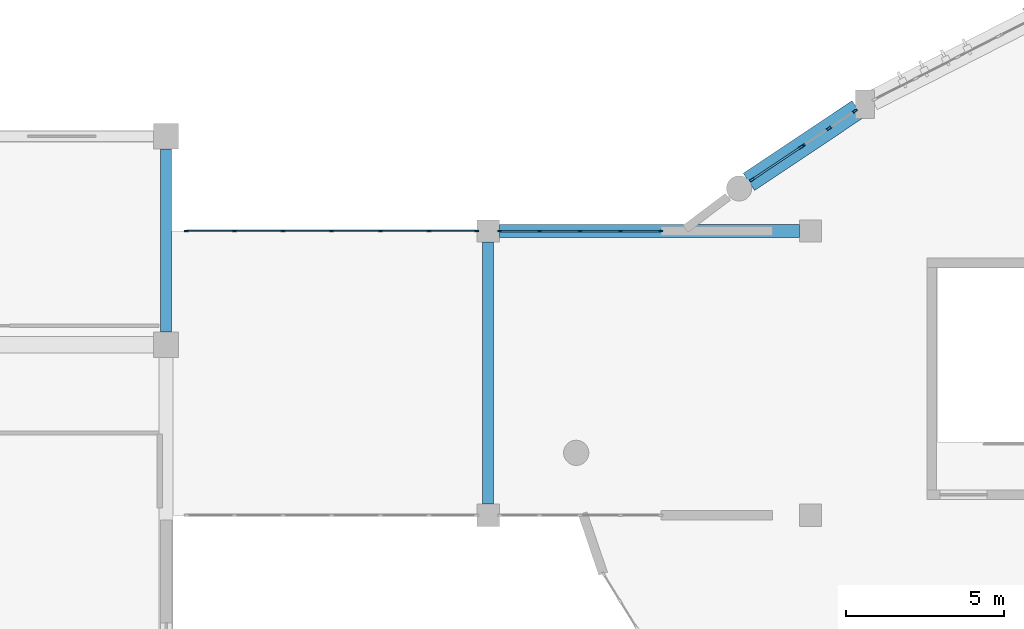
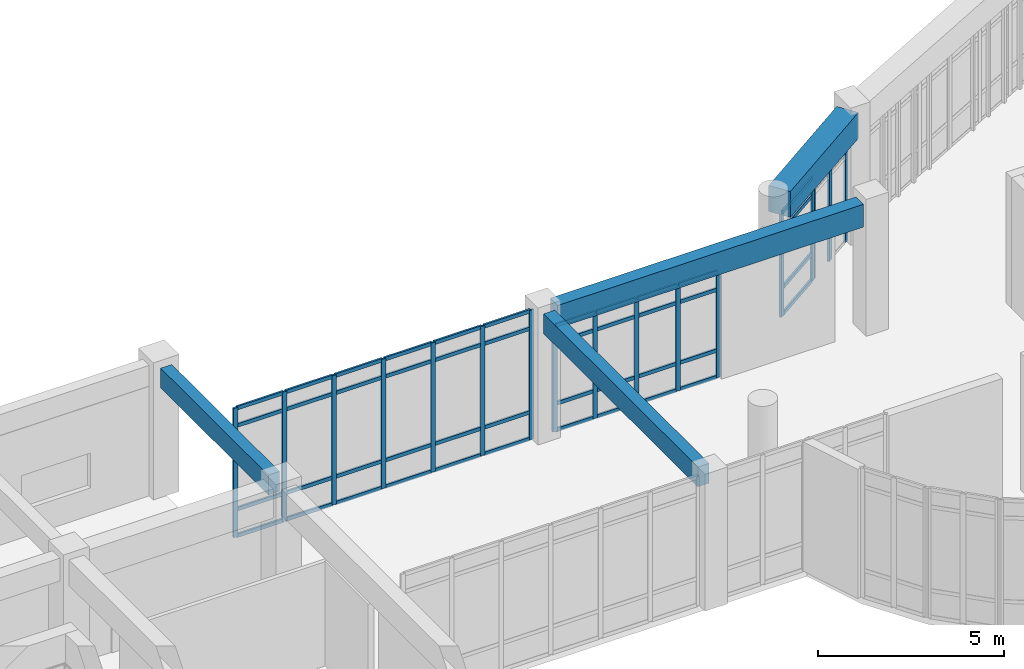
# One storey, part 9 of 54: 61 members, 4 beams, 4 elements without a shape of their own.
"""IFC4 building model written with IfcOpenShell, lengths in metres."""

from ifc_helpers import new_model, si_unit, direction, frame, origin, origin_2d, place, context, subcontext, project, spatial, rectangle, extrude, material, layer, layer_set, material_profile, profile_set, type_object, element, aggregate, save


model = new_model("IFC4")

# Units and contexts
model_context = context("Model", 3, precision=1e-05, world=origin(), true_north=direction((0.0, 1.0)))
body_context = subcontext(model_context, "Body", "Model", "MODEL_VIEW")
ifc_project = project(units=[si_unit("LENGTHUNIT", "METRE"), si_unit("AREAUNIT", "SQUARE_METRE"), si_unit("VOLUMEUNIT", "CUBIC_METRE"), si_unit("PLANEANGLEUNIT", "RADIAN"), si_unit("MASSUNIT", "GRAM", prefix="KILO")], contexts=[model_context])

# Site, building, storey
site_placement = place(None, origin())
site = spatial("IfcSite", under=ifc_project, at=site_placement, CompositionType="ELEMENT")
building_placement = place(site_placement, origin())
building = spatial("IfcBuilding", under=site, at=building_placement, Name="Miralva Faculty of Natural Sciences", CompositionType="ELEMENT")
storey_placement = place(building_placement, frame((0.0, 0.0, 19.5)))
storey = spatial("IfcBuildingStorey", under=building, at=storey_placement, Name="L04", CompositionType="ELEMENT", Elevation=19.5)

# Beams
ifc_material_1 = material(Name="Concrete C40/50", Category="concrete")
ifc_material_profile_1 = material_profile(ifc_material_1, rectangle(XDim=0.39990234375, YDim=0.75, at=origin_2d()), Name="RC 400x750")
ifc_profile_set_1 = profile_set([ifc_material_profile_1], Name="Concrete C40/50")
beam_type_1 = type_object("IfcBeamType", Name="BM-B03", PredefinedType="BEAM", material=ifc_profile_set_1)
beam_1_placement = place(storey_placement, frame((46.550048828125, 27.0, 3.875), z_axis=(1.0, 0.0, 0.0), x_axis=(0.0, 1.0, 0.0)))
element("IfcBeam", 1, at=beam_1_placement, inside=storey, type_object=beam_type_1, Name="Girder EW L04-16", PredefinedType="BEAM", context=body_context, shape_type="SweptSolid", body=[
    extrude(rectangle(XDim=0.39990234375, YDim=0.75, at=origin_2d()), origin(), (0.0, 0.0, 1.0), 9.5),
])
ifc_material_profile_2 = material_profile(ifc_material_1, rectangle(XDim=0.35009765625, YDim=0.64990234375, at=origin_2d()), Name="RC 350x650")
ifc_profile_set_2 = profile_set([ifc_material_profile_2], Name="Concrete C40/50")
beam_type_2 = type_object("IfcBeamType", Name="BM-B05", PredefinedType="BEAM", material=ifc_profile_set_2)
beam_2_placement = place(storey_placement, frame((36.0, 23.800048828125, 3.925048828125), z_axis=(0.0, 1.0, 0.0), x_axis=(-1.0, 0.0, 0.0)))
element("IfcBeam", 2, at=beam_2_placement, inside=storey, type_object=beam_type_2, Name="Girder NS L04-74", PredefinedType="BEAM", context=body_context, shape_type="SweptSolid", body=[
    extrude(rectangle(XDim=0.35009765625, YDim=0.64990234375, at=origin_2d()), origin(), (0.0, 0.0, 1.0), 5.800048828125),
])
beam_3_placement = place(storey_placement, frame((46.199951171875, 18.35009765625, 3.925048828125), z_axis=(0.0, 1.0, 0.0), x_axis=(-1.0, 0.0, 0.0)))
element("IfcBeam", 3, at=beam_3_placement, inside=storey, type_object=beam_type_2, Name="Girder NS L04-75", PredefinedType="BEAM", context=body_context, shape_type="SweptSolid", body=[
    extrude(rectangle(XDim=0.35009765625, YDim=0.64990234375, at=origin_2d()), origin(), (0.0, 0.0, 1.0), 8.2998046875),
])
ifc_material_profile_3 = material_profile(ifc_material_1, rectangle(XDim=0.64990234375, YDim=0.85009765625, at=origin_2d()), Name="RC 650x850")
ifc_profile_set_3 = profile_set([ifc_material_profile_3], Name="Concrete C40/50")
beam_type_3 = type_object("IfcBeamType", Name="BM-SP03", PredefinedType="SPANDREL", material=ifc_profile_set_3)
beam_4_placement = place(storey_placement, frame((57.900390625, 30.856689453125, 3.8349609375), z_axis=(-0.831378794944, -0.555706126759, 0.0), x_axis=(0.555706126759, -0.831378794944, 0.0)))
element("IfcBeam", 4, at=beam_4_placement, inside=storey, type_object=beam_type_3, Name="Curved chord girder SHOUT L04-9", PredefinedType="SPANDREL", context=body_context, shape_type="SweptSolid", body=[
    extrude(rectangle(XDim=0.64990234375, YDim=0.85009765625, at=origin_2d()), origin(), (0.0, 0.0, 1.0), 4.142822265625),
])

# Curtain wall, members
ifc_material_2 = material(Name="Laminated solar-control glass", Category="glass")
ifc_layer_1 = layer(ifc_material_2, 0.179931640625, Name="CW-ARC-L03")
ifc_layer_set_1 = layer_set([ifc_layer_1], Name="Laminated solar-control glass")
curtain_wall_type_1 = type_object("IfcCurtainWallType", Name="CW-ARC-L03", PredefinedType="USERDEFINED", material=ifc_layer_set_1)
curtain_wall_1_placement = place(storey_placement, origin())
curtain_wall_1 = element("IfcCurtainWall", 5, at=curtain_wall_1_placement, inside=storey, type_object=curtain_wall_type_1, Name="Curtain wall CW-03 L04-173", ObjectType="UNITISED CURTAIN WALL", PredefinedType="USERDEFINED")
ifc_material_3 = material(Name="Anodised aluminium", Category="aluminium")
ifc_material_profile_4 = material_profile(ifc_material_3, rectangle(XDim=0.06494140625, YDim=0.159912109375, at=origin_2d()), Name="MULLION 65x160")
ifc_profile_set_4 = profile_set([ifc_material_profile_4], Name="Anodised aluminium")
member_type_1 = type_object("IfcMemberType", Name="CW-M02", PredefinedType="MULLION", material=ifc_profile_set_4)
member_1_placement = place(storey_placement, frame((54.558837890625, 28.62646484375, 0.0), z_axis=(0.0, 0.0, 1.0), x_axis=(-0.555548937913, 0.831483840844, 0.0)))
member_1 = element("IfcMember", 6, at=member_1_placement, type_object=member_type_1, Name="CW-03 mullion 1", PredefinedType="MULLION", context=body_context, shape_type="SweptSolid", body=[
    extrude(rectangle(XDim=0.06494140625, YDim=0.159912109375, at=origin_2d()), origin(), (0.0, 0.0, 1.0), 3.405029296875),
])
member_2_placement = place(storey_placement, frame((56.109375, 29.662353515625, 0.0), z_axis=(0.0, 0.0, 1.0), x_axis=(-0.555548937913, 0.831483840844, 0.0)))
member_2 = element("IfcMember", 7, at=member_2_placement, type_object=member_type_1, Name="CW-03 mullion 2", PredefinedType="MULLION", context=body_context, shape_type="SweptSolid", body=[
    extrude(rectangle(XDim=0.06494140625, YDim=0.159912109375, at=origin_2d()), origin(), (0.0, 0.0, 1.0), 3.405029296875),
])

curtain_wall_2_placement = place(storey_placement, origin())
curtain_wall_2 = element("IfcCurtainWall", 8, at=curtain_wall_2_placement, inside=storey, type_object=curtain_wall_type_1, Name="Curtain wall CW-03 L04-174", ObjectType="UNITISED CURTAIN WALL", PredefinedType="USERDEFINED")
member_3_placement = place(storey_placement, frame((56.1591796875, 29.69580078125, 0.0), z_axis=(0.0, 0.0, 1.0), x_axis=(-0.55558704736, 0.831458377074, 0.0)))
member_3 = element("IfcMember", 9, at=member_3_placement, type_object=member_type_1, Name="CW-03 mullion 1", PredefinedType="MULLION", context=body_context, shape_type="SweptSolid", body=[
    extrude(rectangle(XDim=0.06494140625, YDim=0.159912109375, at=origin_2d()), origin(), (0.0, 0.0, 1.0), 3.405029296875),
])
member_4_placement = place(storey_placement, frame((56.986328125, 30.24853515625, 0.0), z_axis=(0.0, 0.0, 1.0), x_axis=(-0.55558704736, 0.831458377074, 0.0)))
member_4 = element("IfcMember", 10, at=member_4_placement, type_object=member_type_1, Name="CW-03 mullion 2", PredefinedType="MULLION", context=body_context, shape_type="SweptSolid", body=[
    extrude(rectangle(XDim=0.06494140625, YDim=0.159912109375, at=origin_2d()), origin(), (0.0, 0.0, 1.0), 3.405029296875),
])
member_5_placement = place(storey_placement, frame((57.813720703125, 30.80126953125, 0.0), z_axis=(0.0, 0.0, 1.0), x_axis=(-0.55558704736, 0.831458377074, 0.0)))
member_5 = element("IfcMember", 11, at=member_5_placement, type_object=member_type_1, Name="CW-03 mullion 3", PredefinedType="MULLION", context=body_context, shape_type="SweptSolid", body=[
    extrude(rectangle(XDim=0.06494140625, YDim=0.159912109375, at=origin_2d()), origin(), (0.0, 0.0, 1.0), 3.405029296875),
])
aggregate(curtain_wall_2, [member_3, member_4, member_5])

ifc_layer_2 = layer(ifc_material_2, 0.179931640625, Name="CW-COM-L01")
ifc_layer_set_2 = layer_set([ifc_layer_2], Name="Laminated solar-control glass")
curtain_wall_type_2 = type_object("IfcCurtainWallType", Name="CW-COM-L01", PredefinedType="USERDEFINED", material=ifc_layer_set_2)
curtain_wall_3_placement = place(storey_placement, origin())
curtain_wall_3 = element("IfcCurtainWall", 12, at=curtain_wall_3_placement, inside=storey, type_object=curtain_wall_type_2, Name="Curtain wall CW-10 L04-309", ObjectType="UNITISED CURTAIN WALL", PredefinedType="USERDEFINED")
ifc_material_profile_5 = material_profile(ifc_material_3, rectangle(XDim=0.06005859375, YDim=0.139892578125, at=origin_2d()), Name="MULLION 60x140")
ifc_profile_set_5 = profile_set([ifc_material_profile_5], Name="Anodised aluminium")
member_type_2 = type_object("IfcMemberType", Name="CW-M03", PredefinedType="MULLION", material=ifc_profile_set_5)
member_6_placement = place(storey_placement, frame((36.64990234375, 27.0, 0.0), z_axis=(0.0, 0.0, 1.0), x_axis=(0.0, 1.0, 0.0)))
member_6 = element("IfcMember", 13, at=member_6_placement, type_object=member_type_2, Name="CW-10 mullion 1", PredefinedType="MULLION", context=body_context, shape_type="SweptSolid", body=[
    extrude(rectangle(XDim=0.06005859375, YDim=0.139892578125, at=origin_2d()), origin(), (0.0, 0.0, 1.0), 4.25),
])
member_7_placement = place(storey_placement, frame((38.160888671875, 27.0, 0.0), z_axis=(0.0, 0.0, 1.0), x_axis=(0.0, 1.0, 0.0)))
member_7 = element("IfcMember", 14, at=member_7_placement, type_object=member_type_2, Name="CW-10 mullion 2", PredefinedType="MULLION", context=body_context, shape_type="SweptSolid", body=[
    extrude(rectangle(XDim=0.06005859375, YDim=0.139892578125, at=origin_2d()), origin(), (0.0, 0.0, 1.0), 4.25),
])
member_8_placement = place(storey_placement, frame((39.70166015625, 27.0, 0.0), z_axis=(0.0, 0.0, 1.0), x_axis=(0.0, 1.0, 0.0)))
member_8 = element("IfcMember", 15, at=member_8_placement, type_object=member_type_2, Name="CW-10 mullion 3", PredefinedType="MULLION", context=body_context, shape_type="SweptSolid", body=[
    extrude(rectangle(XDim=0.06005859375, YDim=0.139892578125, at=origin_2d()), origin(), (0.0, 0.0, 1.0), 4.25),
])
member_9_placement = place(storey_placement, frame((41.242431640625, 27.0, 0.0), z_axis=(0.0, 0.0, 1.0), x_axis=(0.0, 1.0, 0.0)))
member_9 = element("IfcMember", 16, at=member_9_placement, type_object=member_type_2, Name="CW-10 mullion 4", PredefinedType="MULLION", context=body_context, shape_type="SweptSolid", body=[
    extrude(rectangle(XDim=0.06005859375, YDim=0.139892578125, at=origin_2d()), origin(), (0.0, 0.0, 1.0), 4.25),
])
member_10_placement = place(storey_placement, frame((42.783447265625, 27.0, 0.0), z_axis=(0.0, 0.0, 1.0), x_axis=(0.0, 1.0, 0.0)))
member_10 = element("IfcMember", 17, at=member_10_placement, type_object=member_type_2, Name="CW-10 mullion 5", PredefinedType="MULLION", context=body_context, shape_type="SweptSolid", body=[
    extrude(rectangle(XDim=0.06005859375, YDim=0.139892578125, at=origin_2d()), origin(), (0.0, 0.0, 1.0), 4.25),
])
member_11_placement = place(storey_placement, frame((44.32421875, 27.0, 0.0), z_axis=(0.0, 0.0, 1.0), x_axis=(0.0, 1.0, 0.0)))
member_11 = element("IfcMember", 18, at=member_11_placement, type_object=member_type_2, Name="CW-10 mullion 6", PredefinedType="MULLION", context=body_context, shape_type="SweptSolid", body=[
    extrude(rectangle(XDim=0.06005859375, YDim=0.139892578125, at=origin_2d()), origin(), (0.0, 0.0, 1.0), 4.25),
])
member_12_placement = place(storey_placement, frame((45.8349609375, 27.0, 0.0), z_axis=(0.0, 0.0, 1.0), x_axis=(0.0, 1.0, 0.0)))
member_12 = element("IfcMember", 19, at=member_12_placement, type_object=member_type_2, Name="CW-10 mullion 7", PredefinedType="MULLION", context=body_context, shape_type="SweptSolid", body=[
    extrude(rectangle(XDim=0.06005859375, YDim=0.139892578125, at=origin_2d()), origin(), (0.0, 0.0, 1.0), 4.25),
])

curtain_wall_4_placement = place(storey_placement, origin())
curtain_wall_4 = element("IfcCurtainWall", 20, at=curtain_wall_4_placement, inside=storey, type_object=curtain_wall_type_2, Name="Curtain wall CW-10 L04-310", ObjectType="UNITISED CURTAIN WALL", PredefinedType="USERDEFINED")
member_13_placement = place(storey_placement, frame((46.56494140625, 27.0, 0.0), z_axis=(0.0, 0.0, 1.0), x_axis=(0.0, 1.0, 0.0)))
member_13 = element("IfcMember", 21, at=member_13_placement, type_object=member_type_2, Name="CW-10 mullion 1", PredefinedType="MULLION", context=body_context, shape_type="SweptSolid", body=[
    extrude(rectangle(XDim=0.06005859375, YDim=0.139892578125, at=origin_2d()), origin(), (0.0, 0.0, 1.0), 3.4951171875),
])
member_14_placement = place(storey_placement, frame((47.8212890625, 27.0, 0.0), z_axis=(0.0, 0.0, 1.0), x_axis=(0.0, 1.0, 0.0)))
member_14 = element("IfcMember", 22, at=member_14_placement, type_object=member_type_2, Name="CW-10 mullion 2", PredefinedType="MULLION", context=body_context, shape_type="SweptSolid", body=[
    extrude(rectangle(XDim=0.06005859375, YDim=0.139892578125, at=origin_2d()), origin(), (0.0, 0.0, 1.0), 3.4951171875),
])
member_15_placement = place(storey_placement, frame((49.107421875, 27.0, 0.0), z_axis=(0.0, 0.0, 1.0), x_axis=(0.0, 1.0, 0.0)))
member_15 = element("IfcMember", 23, at=member_15_placement, type_object=member_type_2, Name="CW-10 mullion 3", PredefinedType="MULLION", context=body_context, shape_type="SweptSolid", body=[
    extrude(rectangle(XDim=0.06005859375, YDim=0.139892578125, at=origin_2d()), origin(), (0.0, 0.0, 1.0), 3.4951171875),
])
member_16_placement = place(storey_placement, frame((50.393798828125, 27.0, 0.0), z_axis=(0.0, 0.0, 1.0), x_axis=(0.0, 1.0, 0.0)))
member_16 = element("IfcMember", 24, at=member_16_placement, type_object=member_type_2, Name="CW-10 mullion 4", PredefinedType="MULLION", context=body_context, shape_type="SweptSolid", body=[
    extrude(rectangle(XDim=0.06005859375, YDim=0.139892578125, at=origin_2d()), origin(), (0.0, 0.0, 1.0), 3.4951171875),
])
member_17_placement = place(storey_placement, frame((51.64990234375, 27.0, 0.0), z_axis=(0.0, 0.0, 1.0), x_axis=(0.0, 1.0, 0.0)))
member_17 = element("IfcMember", 25, at=member_17_placement, type_object=member_type_2, Name="CW-10 mullion 5", PredefinedType="MULLION", context=body_context, shape_type="SweptSolid", body=[
    extrude(rectangle(XDim=0.06005859375, YDim=0.139892578125, at=origin_2d()), origin(), (0.0, 0.0, 1.0), 3.4951171875),
])

# Member
ifc_material_profile_6 = material_profile(ifc_material_3, rectangle(XDim=0.06005859375, YDim=0.1201171875, at=origin_2d()), Name="TRANSOM 60x120")
ifc_profile_set_6 = profile_set([ifc_material_profile_6], Name="Anodised aluminium")
member_type_3 = type_object("IfcMemberType", Name="CW-T02", PredefinedType="USERDEFINED", material=ifc_profile_set_6)
member_18_placement = place(storey_placement, frame((54.585693359375, 28.64453125, 0.030029296875), z_axis=(0.831528199487, 0.555482541093, 0.0), x_axis=(-0.555482541093, 0.831528199487, 0.0)))
member_18 = element("IfcMember", 26, at=member_18_placement, type_object=member_type_3, Name="CW-03 transom 1.1", ObjectType="TRANSOM", PredefinedType="USERDEFINED", context=body_context, shape_type="SweptSolid", body=[
    extrude(rectangle(XDim=0.06005859375, YDim=0.1201171875, at=origin_2d()), origin(), (0.0, 0.0, 1.0), 1.7998046875),
])

member_19_placement = place(storey_placement, frame((54.585693359375, 28.64453125, 0.89990234375), z_axis=(0.831528199487, 0.555482541093, 0.0), x_axis=(-0.555482541093, 0.831528199487, 0.0)))
member_19 = element("IfcMember", 27, at=member_19_placement, type_object=member_type_3, Name="CW-03 transom 1.2", ObjectType="TRANSOM", PredefinedType="USERDEFINED", context=body_context, shape_type="SweptSolid", body=[
    extrude(rectangle(XDim=0.06005859375, YDim=0.1201171875, at=origin_2d()), origin(), (0.0, 0.0, 1.0), 1.7998046875),
])

member_20_placement = place(storey_placement, frame((54.585693359375, 28.64453125, 2.804931640625), z_axis=(0.831528199487, 0.555482541093, 0.0), x_axis=(-0.555482541093, 0.831528199487, 0.0)))
member_20 = element("IfcMember", 28, at=member_20_placement, type_object=member_type_3, Name="CW-03 transom 1.3", ObjectType="TRANSOM", PredefinedType="USERDEFINED", context=body_context, shape_type="SweptSolid", body=[
    extrude(rectangle(XDim=0.06005859375, YDim=0.1201171875, at=origin_2d()), origin(), (0.0, 0.0, 1.0), 1.7998046875),
])

member_21_placement = place(storey_placement, frame((54.585693359375, 28.64453125, 3.375), z_axis=(0.831528199487, 0.555482541093, 0.0), x_axis=(-0.555482541093, 0.831528199487, 0.0)))
member_21 = element("IfcMember", 29, at=member_21_placement, type_object=member_type_3, Name="CW-03 transom 1.4", ObjectType="TRANSOM", PredefinedType="USERDEFINED", context=body_context, shape_type="SweptSolid", body=[
    extrude(rectangle(XDim=0.06005859375, YDim=0.1201171875, at=origin_2d()), origin(), (0.0, 0.0, 1.0), 1.7998046875),
])

aggregate(curtain_wall_1, [member_1, member_2, member_18, member_19, member_20, member_21])

member_22_placement = place(storey_placement, frame((36.679931640625, 27.0, 0.030029296875), z_axis=(1.0, 0.0, 0.0), x_axis=(0.0, 1.0, 0.0)))
member_22 = element("IfcMember", 30, at=member_22_placement, type_object=member_type_3, Name="CW-10 transom 1.1", ObjectType="TRANSOM", PredefinedType="USERDEFINED", context=body_context, shape_type="SweptSolid", body=[
    extrude(rectangle(XDim=0.06005859375, YDim=0.1201171875, at=origin_2d()), origin(), (0.0, 0.0, 1.0), 1.450927734375),
])

member_23_placement = place(storey_placement, frame((36.679931640625, 27.0, 0.89990234375), z_axis=(1.0, 0.0, 0.0), x_axis=(0.0, 1.0, 0.0)))
member_23 = element("IfcMember", 31, at=member_23_placement, type_object=member_type_3, Name="CW-10 transom 1.2", ObjectType="TRANSOM", PredefinedType="USERDEFINED", context=body_context, shape_type="SweptSolid", body=[
    extrude(rectangle(XDim=0.06005859375, YDim=0.1201171875, at=origin_2d()), origin(), (0.0, 0.0, 1.0), 1.450927734375),
])

member_24_placement = place(storey_placement, frame((36.679931640625, 27.0, 3.64990234375), z_axis=(1.0, 0.0, 0.0), x_axis=(0.0, 1.0, 0.0)))
member_24 = element("IfcMember", 32, at=member_24_placement, type_object=member_type_3, Name="CW-10 transom 1.3", ObjectType="TRANSOM", PredefinedType="USERDEFINED", context=body_context, shape_type="SweptSolid", body=[
    extrude(rectangle(XDim=0.06005859375, YDim=0.1201171875, at=origin_2d()), origin(), (0.0, 0.0, 1.0), 1.450927734375),
])

member_25_placement = place(storey_placement, frame((36.679931640625, 27.0, 4.219970703125), z_axis=(1.0, 0.0, 0.0), x_axis=(0.0, 1.0, 0.0)))
member_25 = element("IfcMember", 33, at=member_25_placement, type_object=member_type_3, Name="CW-10 transom 1.4", ObjectType="TRANSOM", PredefinedType="USERDEFINED", context=body_context, shape_type="SweptSolid", body=[
    extrude(rectangle(XDim=0.06005859375, YDim=0.1201171875, at=origin_2d()), origin(), (0.0, 0.0, 1.0), 1.450927734375),
])

member_26_placement = place(storey_placement, frame((38.19091796875, 27.0, 0.030029296875), z_axis=(1.0, 0.0, 0.0), x_axis=(0.0, 1.0, 0.0)))
member_26 = element("IfcMember", 34, at=member_26_placement, type_object=member_type_3, Name="CW-10 transom 2.1", ObjectType="TRANSOM", PredefinedType="USERDEFINED", context=body_context, shape_type="SweptSolid", body=[
    extrude(rectangle(XDim=0.06005859375, YDim=0.1201171875, at=origin_2d()), origin(), (0.0, 0.0, 1.0), 1.480712890625),
])

member_27_placement = place(storey_placement, frame((38.19091796875, 27.0, 0.89990234375), z_axis=(1.0, 0.0, 0.0), x_axis=(0.0, 1.0, 0.0)))
member_27 = element("IfcMember", 35, at=member_27_placement, type_object=member_type_3, Name="CW-10 transom 2.2", ObjectType="TRANSOM", PredefinedType="USERDEFINED", context=body_context, shape_type="SweptSolid", body=[
    extrude(rectangle(XDim=0.06005859375, YDim=0.1201171875, at=origin_2d()), origin(), (0.0, 0.0, 1.0), 1.480712890625),
])

member_28_placement = place(storey_placement, frame((38.19091796875, 27.0, 3.64990234375), z_axis=(1.0, 0.0, 0.0), x_axis=(0.0, 1.0, 0.0)))
member_28 = element("IfcMember", 36, at=member_28_placement, type_object=member_type_3, Name="CW-10 transom 2.3", ObjectType="TRANSOM", PredefinedType="USERDEFINED", context=body_context, shape_type="SweptSolid", body=[
    extrude(rectangle(XDim=0.06005859375, YDim=0.1201171875, at=origin_2d()), origin(), (0.0, 0.0, 1.0), 1.480712890625),
])

member_29_placement = place(storey_placement, frame((38.19091796875, 27.0, 4.219970703125), z_axis=(1.0, 0.0, 0.0), x_axis=(0.0, 1.0, 0.0)))
member_29 = element("IfcMember", 37, at=member_29_placement, type_object=member_type_3, Name="CW-10 transom 2.4", ObjectType="TRANSOM", PredefinedType="USERDEFINED", context=body_context, shape_type="SweptSolid", body=[
    extrude(rectangle(XDim=0.06005859375, YDim=0.1201171875, at=origin_2d()), origin(), (0.0, 0.0, 1.0), 1.480712890625),
])

member_30_placement = place(storey_placement, frame((39.731689453125, 27.0, 0.030029296875), z_axis=(1.0, 0.0, 0.0), x_axis=(0.0, 1.0, 0.0)))
member_30 = element("IfcMember", 38, at=member_30_placement, type_object=member_type_3, Name="CW-10 transom 3.1", ObjectType="TRANSOM", PredefinedType="USERDEFINED", context=body_context, shape_type="SweptSolid", body=[
    extrude(rectangle(XDim=0.06005859375, YDim=0.1201171875, at=origin_2d()), origin(), (0.0, 0.0, 1.0), 1.480712890625),
])

member_31_placement = place(storey_placement, frame((39.731689453125, 27.0, 0.89990234375), z_axis=(1.0, 0.0, 0.0), x_axis=(0.0, 1.0, 0.0)))
member_31 = element("IfcMember", 39, at=member_31_placement, type_object=member_type_3, Name="CW-10 transom 3.2", ObjectType="TRANSOM", PredefinedType="USERDEFINED", context=body_context, shape_type="SweptSolid", body=[
    extrude(rectangle(XDim=0.06005859375, YDim=0.1201171875, at=origin_2d()), origin(), (0.0, 0.0, 1.0), 1.480712890625),
])

member_32_placement = place(storey_placement, frame((39.731689453125, 27.0, 3.64990234375), z_axis=(1.0, 0.0, 0.0), x_axis=(0.0, 1.0, 0.0)))
member_32 = element("IfcMember", 40, at=member_32_placement, type_object=member_type_3, Name="CW-10 transom 3.3", ObjectType="TRANSOM", PredefinedType="USERDEFINED", context=body_context, shape_type="SweptSolid", body=[
    extrude(rectangle(XDim=0.06005859375, YDim=0.1201171875, at=origin_2d()), origin(), (0.0, 0.0, 1.0), 1.480712890625),
])

member_33_placement = place(storey_placement, frame((39.731689453125, 27.0, 4.219970703125), z_axis=(1.0, 0.0, 0.0), x_axis=(0.0, 1.0, 0.0)))
member_33 = element("IfcMember", 41, at=member_33_placement, type_object=member_type_3, Name="CW-10 transom 3.4", ObjectType="TRANSOM", PredefinedType="USERDEFINED", context=body_context, shape_type="SweptSolid", body=[
    extrude(rectangle(XDim=0.06005859375, YDim=0.1201171875, at=origin_2d()), origin(), (0.0, 0.0, 1.0), 1.480712890625),
])

member_34_placement = place(storey_placement, frame((41.2724609375, 27.0, 0.030029296875), z_axis=(1.0, 0.0, 0.0), x_axis=(0.0, 1.0, 0.0)))
member_34 = element("IfcMember", 42, at=member_34_placement, type_object=member_type_3, Name="CW-10 transom 4.1", ObjectType="TRANSOM", PredefinedType="USERDEFINED", context=body_context, shape_type="SweptSolid", body=[
    extrude(rectangle(XDim=0.06005859375, YDim=0.1201171875, at=origin_2d()), origin(), (0.0, 0.0, 1.0), 1.48095703125),
])

member_35_placement = place(storey_placement, frame((41.2724609375, 27.0, 0.89990234375), z_axis=(1.0, 0.0, 0.0), x_axis=(0.0, 1.0, 0.0)))
member_35 = element("IfcMember", 43, at=member_35_placement, type_object=member_type_3, Name="CW-10 transom 4.2", ObjectType="TRANSOM", PredefinedType="USERDEFINED", context=body_context, shape_type="SweptSolid", body=[
    extrude(rectangle(XDim=0.06005859375, YDim=0.1201171875, at=origin_2d()), origin(), (0.0, 0.0, 1.0), 1.48095703125),
])

member_36_placement = place(storey_placement, frame((41.2724609375, 27.0, 3.64990234375), z_axis=(1.0, 0.0, 0.0), x_axis=(0.0, 1.0, 0.0)))
member_36 = element("IfcMember", 44, at=member_36_placement, type_object=member_type_3, Name="CW-10 transom 4.3", ObjectType="TRANSOM", PredefinedType="USERDEFINED", context=body_context, shape_type="SweptSolid", body=[
    extrude(rectangle(XDim=0.06005859375, YDim=0.1201171875, at=origin_2d()), origin(), (0.0, 0.0, 1.0), 1.48095703125),
])

member_37_placement = place(storey_placement, frame((41.2724609375, 27.0, 4.219970703125), z_axis=(1.0, 0.0, 0.0), x_axis=(0.0, 1.0, 0.0)))
member_37 = element("IfcMember", 45, at=member_37_placement, type_object=member_type_3, Name="CW-10 transom 4.4", ObjectType="TRANSOM", PredefinedType="USERDEFINED", context=body_context, shape_type="SweptSolid", body=[
    extrude(rectangle(XDim=0.06005859375, YDim=0.1201171875, at=origin_2d()), origin(), (0.0, 0.0, 1.0), 1.48095703125),
])

member_38_placement = place(storey_placement, frame((42.813232421875, 27.0, 0.030029296875), z_axis=(1.0, 0.0, 0.0), x_axis=(0.0, 1.0, 0.0)))
member_38 = element("IfcMember", 46, at=member_38_placement, type_object=member_type_3, Name="CW-10 transom 5.1", ObjectType="TRANSOM", PredefinedType="USERDEFINED", context=body_context, shape_type="SweptSolid", body=[
    extrude(rectangle(XDim=0.06005859375, YDim=0.1201171875, at=origin_2d()), origin(), (0.0, 0.0, 1.0), 1.48095703125),
])

member_39_placement = place(storey_placement, frame((42.813232421875, 27.0, 0.89990234375), z_axis=(1.0, 0.0, 0.0), x_axis=(0.0, 1.0, 0.0)))
member_39 = element("IfcMember", 47, at=member_39_placement, type_object=member_type_3, Name="CW-10 transom 5.2", ObjectType="TRANSOM", PredefinedType="USERDEFINED", context=body_context, shape_type="SweptSolid", body=[
    extrude(rectangle(XDim=0.06005859375, YDim=0.1201171875, at=origin_2d()), origin(), (0.0, 0.0, 1.0), 1.48095703125),
])

member_40_placement = place(storey_placement, frame((42.813232421875, 27.0, 3.64990234375), z_axis=(1.0, 0.0, 0.0), x_axis=(0.0, 1.0, 0.0)))
member_40 = element("IfcMember", 48, at=member_40_placement, type_object=member_type_3, Name="CW-10 transom 5.3", ObjectType="TRANSOM", PredefinedType="USERDEFINED", context=body_context, shape_type="SweptSolid", body=[
    extrude(rectangle(XDim=0.06005859375, YDim=0.1201171875, at=origin_2d()), origin(), (0.0, 0.0, 1.0), 1.48095703125),
])

member_41_placement = place(storey_placement, frame((42.813232421875, 27.0, 4.219970703125), z_axis=(1.0, 0.0, 0.0), x_axis=(0.0, 1.0, 0.0)))
member_41 = element("IfcMember", 49, at=member_41_placement, type_object=member_type_3, Name="CW-10 transom 5.4", ObjectType="TRANSOM", PredefinedType="USERDEFINED", context=body_context, shape_type="SweptSolid", body=[
    extrude(rectangle(XDim=0.06005859375, YDim=0.1201171875, at=origin_2d()), origin(), (0.0, 0.0, 1.0), 1.48095703125),
])

member_42_placement = place(storey_placement, frame((44.354248046875, 27.0, 0.030029296875), z_axis=(1.0, 0.0, 0.0), x_axis=(0.0, 1.0, 0.0)))
member_42 = element("IfcMember", 50, at=member_42_placement, type_object=member_type_3, Name="CW-10 transom 6.1", ObjectType="TRANSOM", PredefinedType="USERDEFINED", context=body_context, shape_type="SweptSolid", body=[
    extrude(rectangle(XDim=0.06005859375, YDim=0.1201171875, at=origin_2d()), origin(), (0.0, 0.0, 1.0), 1.45068359375),
])

member_43_placement = place(storey_placement, frame((44.354248046875, 27.0, 0.89990234375), z_axis=(1.0, 0.0, 0.0), x_axis=(0.0, 1.0, 0.0)))
member_43 = element("IfcMember", 51, at=member_43_placement, type_object=member_type_3, Name="CW-10 transom 6.2", ObjectType="TRANSOM", PredefinedType="USERDEFINED", context=body_context, shape_type="SweptSolid", body=[
    extrude(rectangle(XDim=0.06005859375, YDim=0.1201171875, at=origin_2d()), origin(), (0.0, 0.0, 1.0), 1.45068359375),
])

member_44_placement = place(storey_placement, frame((44.354248046875, 27.0, 3.64990234375), z_axis=(1.0, 0.0, 0.0), x_axis=(0.0, 1.0, 0.0)))
member_44 = element("IfcMember", 52, at=member_44_placement, type_object=member_type_3, Name="CW-10 transom 6.3", ObjectType="TRANSOM", PredefinedType="USERDEFINED", context=body_context, shape_type="SweptSolid", body=[
    extrude(rectangle(XDim=0.06005859375, YDim=0.1201171875, at=origin_2d()), origin(), (0.0, 0.0, 1.0), 1.45068359375),
])

member_45_placement = place(storey_placement, frame((44.354248046875, 27.0, 4.219970703125), z_axis=(1.0, 0.0, 0.0), x_axis=(0.0, 1.0, 0.0)))
member_45 = element("IfcMember", 53, at=member_45_placement, type_object=member_type_3, Name="CW-10 transom 6.4", ObjectType="TRANSOM", PredefinedType="USERDEFINED", context=body_context, shape_type="SweptSolid", body=[
    extrude(rectangle(XDim=0.06005859375, YDim=0.1201171875, at=origin_2d()), origin(), (0.0, 0.0, 1.0), 1.45068359375),
])

aggregate(curtain_wall_3, [member_6, member_7, member_8, member_9, member_10, member_11, member_12, member_22, member_23, member_24, member_25, member_26, member_27, member_28, member_29, member_30, member_31, member_32, member_33, member_34, member_35, member_36, member_37, member_38, member_39, member_40, member_41, member_42, member_43, member_44, member_45])

member_46_placement = place(storey_placement, frame((46.594970703125, 27.0, 0.030029296875), z_axis=(1.0, 0.0, 0.0), x_axis=(0.0, 1.0, 0.0)))
member_46 = element("IfcMember", 54, at=member_46_placement, type_object=member_type_3, Name="CW-10 transom 1.1", ObjectType="TRANSOM", PredefinedType="USERDEFINED", context=body_context, shape_type="SweptSolid", body=[
    extrude(rectangle(XDim=0.06005859375, YDim=0.1201171875, at=origin_2d()), origin(), (0.0, 0.0, 1.0), 1.1962890625),
])

member_47_placement = place(storey_placement, frame((46.594970703125, 27.0, 0.89990234375), z_axis=(1.0, 0.0, 0.0), x_axis=(0.0, 1.0, 0.0)))
member_47 = element("IfcMember", 55, at=member_47_placement, type_object=member_type_3, Name="CW-10 transom 1.2", ObjectType="TRANSOM", PredefinedType="USERDEFINED", context=body_context, shape_type="SweptSolid", body=[
    extrude(rectangle(XDim=0.06005859375, YDim=0.1201171875, at=origin_2d()), origin(), (0.0, 0.0, 1.0), 1.1962890625),
])

member_48_placement = place(storey_placement, frame((46.594970703125, 27.0, 2.89501953125), z_axis=(1.0, 0.0, 0.0), x_axis=(0.0, 1.0, 0.0)))
member_48 = element("IfcMember", 56, at=member_48_placement, type_object=member_type_3, Name="CW-10 transom 1.3", ObjectType="TRANSOM", PredefinedType="USERDEFINED", context=body_context, shape_type="SweptSolid", body=[
    extrude(rectangle(XDim=0.06005859375, YDim=0.1201171875, at=origin_2d()), origin(), (0.0, 0.0, 1.0), 1.1962890625),
])

member_49_placement = place(storey_placement, frame((46.594970703125, 27.0, 3.465087890625), z_axis=(1.0, 0.0, 0.0), x_axis=(0.0, 1.0, 0.0)))
member_49 = element("IfcMember", 57, at=member_49_placement, type_object=member_type_3, Name="CW-10 transom 1.4", ObjectType="TRANSOM", PredefinedType="USERDEFINED", context=body_context, shape_type="SweptSolid", body=[
    extrude(rectangle(XDim=0.06005859375, YDim=0.1201171875, at=origin_2d()), origin(), (0.0, 0.0, 1.0), 1.1962890625),
])

member_50_placement = place(storey_placement, frame((47.851318359375, 27.0, 0.030029296875), z_axis=(1.0, 0.0, 0.0), x_axis=(0.0, 1.0, 0.0)))
member_50 = element("IfcMember", 58, at=member_50_placement, type_object=member_type_3, Name="CW-10 transom 2.1", ObjectType="TRANSOM", PredefinedType="USERDEFINED", context=body_context, shape_type="SweptSolid", body=[
    extrude(rectangle(XDim=0.06005859375, YDim=0.1201171875, at=origin_2d()), origin(), (0.0, 0.0, 1.0), 1.22607421875),
])

member_51_placement = place(storey_placement, frame((47.851318359375, 27.0, 0.89990234375), z_axis=(1.0, 0.0, 0.0), x_axis=(0.0, 1.0, 0.0)))
member_51 = element("IfcMember", 59, at=member_51_placement, type_object=member_type_3, Name="CW-10 transom 2.2", ObjectType="TRANSOM", PredefinedType="USERDEFINED", context=body_context, shape_type="SweptSolid", body=[
    extrude(rectangle(XDim=0.06005859375, YDim=0.1201171875, at=origin_2d()), origin(), (0.0, 0.0, 1.0), 1.22607421875),
])

member_52_placement = place(storey_placement, frame((47.851318359375, 27.0, 2.89501953125), z_axis=(1.0, 0.0, 0.0), x_axis=(0.0, 1.0, 0.0)))
member_52 = element("IfcMember", 60, at=member_52_placement, type_object=member_type_3, Name="CW-10 transom 2.3", ObjectType="TRANSOM", PredefinedType="USERDEFINED", context=body_context, shape_type="SweptSolid", body=[
    extrude(rectangle(XDim=0.06005859375, YDim=0.1201171875, at=origin_2d()), origin(), (0.0, 0.0, 1.0), 1.22607421875),
])

member_53_placement = place(storey_placement, frame((47.851318359375, 27.0, 3.465087890625), z_axis=(1.0, 0.0, 0.0), x_axis=(0.0, 1.0, 0.0)))
member_53 = element("IfcMember", 61, at=member_53_placement, type_object=member_type_3, Name="CW-10 transom 2.4", ObjectType="TRANSOM", PredefinedType="USERDEFINED", context=body_context, shape_type="SweptSolid", body=[
    extrude(rectangle(XDim=0.06005859375, YDim=0.1201171875, at=origin_2d()), origin(), (0.0, 0.0, 1.0), 1.22607421875),
])

member_54_placement = place(storey_placement, frame((49.137451171875, 27.0, 0.030029296875), z_axis=(1.0, 0.0, 0.0), x_axis=(0.0, 1.0, 0.0)))
member_54 = element("IfcMember", 62, at=member_54_placement, type_object=member_type_3, Name="CW-10 transom 3.1", ObjectType="TRANSOM", PredefinedType="USERDEFINED", context=body_context, shape_type="SweptSolid", body=[
    extrude(rectangle(XDim=0.06005859375, YDim=0.1201171875, at=origin_2d()), origin(), (0.0, 0.0, 1.0), 1.226318359375),
])

member_55_placement = place(storey_placement, frame((49.137451171875, 27.0, 0.89990234375), z_axis=(1.0, 0.0, 0.0), x_axis=(0.0, 1.0, 0.0)))
member_55 = element("IfcMember", 63, at=member_55_placement, type_object=member_type_3, Name="CW-10 transom 3.2", ObjectType="TRANSOM", PredefinedType="USERDEFINED", context=body_context, shape_type="SweptSolid", body=[
    extrude(rectangle(XDim=0.06005859375, YDim=0.1201171875, at=origin_2d()), origin(), (0.0, 0.0, 1.0), 1.226318359375),
])

member_56_placement = place(storey_placement, frame((49.137451171875, 27.0, 2.89501953125), z_axis=(1.0, 0.0, 0.0), x_axis=(0.0, 1.0, 0.0)))
member_56 = element("IfcMember", 64, at=member_56_placement, type_object=member_type_3, Name="CW-10 transom 3.3", ObjectType="TRANSOM", PredefinedType="USERDEFINED", context=body_context, shape_type="SweptSolid", body=[
    extrude(rectangle(XDim=0.06005859375, YDim=0.1201171875, at=origin_2d()), origin(), (0.0, 0.0, 1.0), 1.226318359375),
])

member_57_placement = place(storey_placement, frame((49.137451171875, 27.0, 3.465087890625), z_axis=(1.0, 0.0, 0.0), x_axis=(0.0, 1.0, 0.0)))
member_57 = element("IfcMember", 65, at=member_57_placement, type_object=member_type_3, Name="CW-10 transom 3.4", ObjectType="TRANSOM", PredefinedType="USERDEFINED", context=body_context, shape_type="SweptSolid", body=[
    extrude(rectangle(XDim=0.06005859375, YDim=0.1201171875, at=origin_2d()), origin(), (0.0, 0.0, 1.0), 1.226318359375),
])

member_58_placement = place(storey_placement, frame((50.423828125, 27.0, 0.030029296875), z_axis=(1.0, 0.0, 0.0), x_axis=(0.0, 1.0, 0.0)))
member_58 = element("IfcMember", 66, at=member_58_placement, type_object=member_type_3, Name="CW-10 transom 4.1", ObjectType="TRANSOM", PredefinedType="USERDEFINED", context=body_context, shape_type="SweptSolid", body=[
    extrude(rectangle(XDim=0.06005859375, YDim=0.1201171875, at=origin_2d()), origin(), (0.0, 0.0, 1.0), 1.1962890625),
])

member_59_placement = place(storey_placement, frame((50.423828125, 27.0, 0.89990234375), z_axis=(1.0, 0.0, 0.0), x_axis=(0.0, 1.0, 0.0)))
member_59 = element("IfcMember", 67, at=member_59_placement, type_object=member_type_3, Name="CW-10 transom 4.2", ObjectType="TRANSOM", PredefinedType="USERDEFINED", context=body_context, shape_type="SweptSolid", body=[
    extrude(rectangle(XDim=0.06005859375, YDim=0.1201171875, at=origin_2d()), origin(), (0.0, 0.0, 1.0), 1.1962890625),
])

member_60_placement = place(storey_placement, frame((50.423828125, 27.0, 2.89501953125), z_axis=(1.0, 0.0, 0.0), x_axis=(0.0, 1.0, 0.0)))
member_60 = element("IfcMember", 68, at=member_60_placement, type_object=member_type_3, Name="CW-10 transom 4.3", ObjectType="TRANSOM", PredefinedType="USERDEFINED", context=body_context, shape_type="SweptSolid", body=[
    extrude(rectangle(XDim=0.06005859375, YDim=0.1201171875, at=origin_2d()), origin(), (0.0, 0.0, 1.0), 1.1962890625),
])

member_61_placement = place(storey_placement, frame((50.423828125, 27.0, 3.465087890625), z_axis=(1.0, 0.0, 0.0), x_axis=(0.0, 1.0, 0.0)))
member_61 = element("IfcMember", 69, at=member_61_placement, type_object=member_type_3, Name="CW-10 transom 4.4", ObjectType="TRANSOM", PredefinedType="USERDEFINED", context=body_context, shape_type="SweptSolid", body=[
    extrude(rectangle(XDim=0.06005859375, YDim=0.1201171875, at=origin_2d()), origin(), (0.0, 0.0, 1.0), 1.1962890625),
])

aggregate(curtain_wall_4, [member_13, member_14, member_15, member_16, member_17, member_46, member_47, member_48, member_49, member_50, member_51, member_52, member_53, member_54, member_55, member_56, member_57, member_58, member_59, member_60, member_61])

save(model, "model.ifc")
